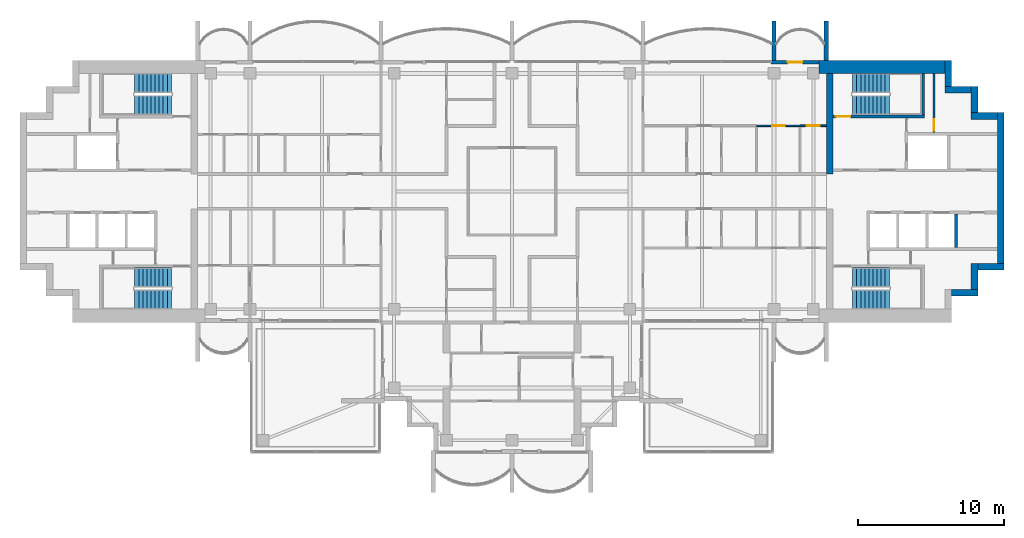
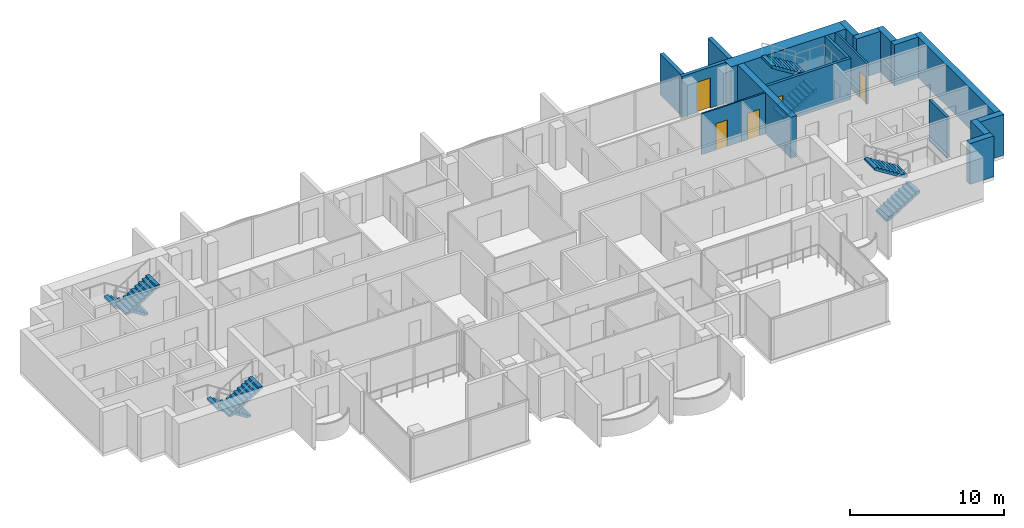
# One storey, part 12 of 16: 19 walls, 8 stair flights, 5 doors, 5 openings, 4 elements without a shape of their own.
"""IFC4 building model written with IfcOpenShell, lengths in metres."""

import ifcopenshell
import ifcopenshell.guid

model = None  # the IFC model being written
_history = None  # IfcOwnerHistory: only IFC2X3 demands one
_inside = {}  # id of a spatial element -> (the spatial element, [elements in it])
_under = {}  # id of a project, library or spatial element -> (it, [spatial elements below it])
_declared = {}  # id of a project -> (the project, [libraries it declares])
_typed = {}  # id of a type object -> (the type object, [elements of that type])
_made_of = {}  # id of a material, layer set ... -> (it, [elements and type objects made of it])


def new_model(schema):
    """Start an empty IFC model of exactly this schema.

    Asked for "IFC4X3", IfcOpenShell would pick the latest addendum, in which some entities
    have other attributes; the version numbers below select the first issue.
    IFC2X3 requires an IfcOwnerHistory on every rooted entity: one is made here for all.
    """
    global model, _history
    if schema == "IFC4X3":
        model = ifcopenshell.file(schema_version=(4, 3, 0, 0))
    else:
        model = ifcopenshell.file(schema=schema)
    _inside.clear()
    _under.clear()
    _declared.clear()
    _typed.clear()
    _made_of.clear()
    _history = None
    if model.schema == "IFC2X3":
        org = make("IfcOrganization", Name="unknown")
        user = make(
            "IfcPersonAndOrganization",
            ThePerson=make("IfcPerson", FamilyName="unknown"),
            TheOrganization=org,
        )
        app = make(
            "IfcApplication",
            ApplicationDeveloper=org,
            Version="unknown",
            ApplicationFullName="unknown",
            ApplicationIdentifier="unknown",
        )
        _history = make(
            "IfcOwnerHistory",
            OwningUser=user,
            OwningApplication=app,
            ChangeAction="ADDED",
            CreationDate=0,
        )
    return model


def make(cls, **values):
    """One entity of the class cls with the attributes given. An attribute that is None is left unset."""
    return model.create_entity(
        cls, **{name: value for name, value in values.items() if value is not None}
    )


def rooted(cls, **values):
    """An entity with a GlobalId (a new one), such as an element, a storey or a relation."""
    return make(cls, GlobalId=ifcopenshell.guid.new(), OwnerHistory=_history, **values)


def si_unit(unit_type, name, prefix=None):
    """IfcSIUnit, for example si_unit("LENGTHUNIT", "METRE", prefix="MILLI")."""
    return make("IfcSIUnit", UnitType=unit_type, Prefix=prefix, Name=name)


def assignment(units):
    """IfcUnitAssignment: the units of a project."""
    return None if units is None else make("IfcUnitAssignment", Units=units)


def point(xyz):
    """IfcCartesianPoint."""
    return None if xyz is None else make("IfcCartesianPoint", Coordinates=xyz)


def direction(xyz):
    """IfcDirection."""
    return None if xyz is None else make("IfcDirection", DirectionRatios=xyz)


def frame(location, z_axis=None, x_axis=None):
    """IfcAxis2Placement3D, a coordinate frame: its origin and axes. An axis left out is left unset."""
    return make(
        "IfcAxis2Placement3D",
        Location=point(location),
        Axis=direction(z_axis),
        RefDirection=direction(x_axis),
    )


def frame_2d(location, x_axis=None):
    """IfcAxis2Placement2D, a coordinate frame in the plane: its origin and x axis."""
    return make(
        "IfcAxis2Placement2D", Location=point(location), RefDirection=direction(x_axis)
    )


def origin():
    """The frame at (0, 0, 0) with its axes left unset."""
    return frame((0.0, 0.0, 0.0))


def place(relative_to, where):
    """IfcLocalPlacement: puts the frame where relative to a parent placement (None: the world)."""
    return make(
        "IfcLocalPlacement", PlacementRelTo=relative_to, RelativePlacement=where
    )


def context(
    kind, dimensions, precision=None, world=None, true_north=None, identifier=None
):
    """IfcGeometricRepresentationContext, for example the 3D "Model" context."""
    return make(
        "IfcGeometricRepresentationContext",
        ContextIdentifier=identifier,
        ContextType=kind,
        CoordinateSpaceDimension=dimensions,
        Precision=precision,
        WorldCoordinateSystem=world,
        TrueNorth=true_north,
    )


def subcontext(parent, identifier, kind, view, scale=None):
    """IfcGeometricRepresentationSubContext, for example "Body" below "Model"."""
    return make(
        "IfcGeometricRepresentationSubContext",
        ContextIdentifier=identifier,
        ContextType=kind,
        ParentContext=parent,
        TargetScale=scale,
        TargetView=view,
    )


def project(units=None, contexts=None):
    """IfcProject with its units and contexts."""
    return rooted(
        "IfcProject",
        Name="project",
        RepresentationContexts=contexts,
        UnitsInContext=assignment(units),
    )


def spatial(cls, under=None, at=None, **own):
    """A site, building, storey or space (cls), placed at a placement, below another one or the project."""
    s = rooted(cls, ObjectPlacement=at, **own)
    if under is not None:
        _under.setdefault(under.id(), (under, []))[1].append(s)
    return s


def polyline(points):
    """IfcPolyline through the points."""
    return make("IfcPolyline", Points=[point(p) for p in points])


def profile(cls, at=None, kind="AREA", **sizes):
    """A parametric profile (cls). Its sizes go by their IFC names, for example OverallWidth=200.0."""
    return make(cls, ProfileType=kind, Position=at, **sizes)


def rectangle(**sizes):
    """IfcRectangleProfileDef."""
    return profile("IfcRectangleProfileDef", **sizes)


def outline(outer, holes=None, kind="AREA"):
    """IfcArbitraryClosedProfileDef: a profile drawn as a closed curve; with holes, ...WithVoids."""
    if holes is None:
        return make("IfcArbitraryClosedProfileDef", ProfileType=kind, OuterCurve=outer)
    return make(
        "IfcArbitraryProfileDefWithVoids",
        ProfileType=kind,
        OuterCurve=outer,
        InnerCurves=holes,
    )


def extrude(swept, where, along, depth):
    """IfcExtrudedAreaSolid: the profile swept, set in the frame where, extruded along a direction by depth."""
    return make(
        "IfcExtrudedAreaSolid",
        SweptArea=swept,
        Position=where,
        ExtrudedDirection=direction(along),
        Depth=depth,
    )


def shape(context_of_items, identifier, shape_type, items):
    """IfcShapeRepresentation: the items that make up one representation, for example the "Body"."""
    return make(
        "IfcShapeRepresentation",
        ContextOfItems=context_of_items,
        RepresentationIdentifier=identifier,
        RepresentationType=shape_type,
        Items=items,
    )


def material(Name=None, Category=None):
    """IfcMaterial."""
    return make("IfcMaterial", Name=Name, Category=Category)


def layer(
    of_material, thickness, ventilated=None, Name=None, Category=None, Priority=None
):
    """IfcMaterialLayer: one layer of a wall or slab, of a material (None: an air gap)."""
    return make(
        "IfcMaterialLayer",
        Material=of_material,
        LayerThickness=thickness,
        IsVentilated=ventilated,
        Name=Name,
        Category=Category,
        Priority=Priority,
    )


def layer_set(layers, Name=None):
    """IfcMaterialLayerSet."""
    return make("IfcMaterialLayerSet", MaterialLayers=layers, LayerSetName=Name)


def made_of(thing, what):
    """Note that an element or type object is made of a material, layer set ...; save() writes the relation."""
    if what is not None:
        _made_of.setdefault(what.id(), (what, []))[1].append(thing)
    return thing


def type_object(cls, material=None, **own):
    """A type object (cls), such as IfcWallType, which elements share."""
    return made_of(rooted(cls, **own), material)


def element(
    cls,
    number,
    at=None,
    inside=None,
    cuts=None,
    type_object=None,
    material=None,
    context=None,
    identifier="Body",
    shape_type=None,
    held_by="IfcProductDefinitionShape",
    body=None,
    shapes=None,
    **own,
):
    """One element of the class cls, such as IfcWall. Its Tag is "e" and its number.

    at: its placement. inside: the storey or other place that contains it. cuts: it is an
    opening in that element (IfcRelVoidsElement). A single representation is given by context,
    identifier, shape_type and body (its items); several are given by shapes. held_by: the class
    of the entity that holds the representations. save() writes the other relations.
    """
    e = rooted(cls, Tag="e%d" % number, ObjectPlacement=at, **own)
    if body is not None:
        shapes = [shape(context, identifier, shape_type, body)]
    if shapes is not None:
        e.Representation = make(held_by, Representations=shapes)
    if inside is not None:
        _inside.setdefault(inside.id(), (inside, []))[1].append(e)
    if cuts is not None:
        rooted(
            "IfcRelVoidsElement", RelatingBuildingElement=cuts, RelatedOpeningElement=e
        )
    if type_object is not None:
        _typed.setdefault(type_object.id(), (type_object, []))[1].append(e)
    return made_of(e, material)


def fill(opening, filler):
    """IfcRelFillsElement: the door or window that sits in an opening."""
    return rooted(
        "IfcRelFillsElement",
        RelatingOpeningElement=opening,
        RelatedBuildingElement=filler,
    )


def aggregate(whole, parts):
    """IfcRelAggregates: a whole, such as a stair, and the parts it consists of."""
    return rooted("IfcRelAggregates", RelatingObject=whole, RelatedObjects=parts)


def save(model, path):
    """Write the relations noted so far, then the file.

    IfcRelAggregates (storeys below a building ...), IfcRelContainedInSpatialStructure (elements
    in a storey), IfcRelDefinesByType, IfcRelAssociatesMaterial and IfcRelDeclares: one each for
    every whole, place, type object, material and project.
    """
    for whole, parts in _under.values():
        aggregate(whole, parts)
    for where, things in _inside.values():
        rooted(
            "IfcRelContainedInSpatialStructure",
            RelatedElements=things,
            RelatingStructure=where,
        )
    for kind, things in _typed.values():
        rooted("IfcRelDefinesByType", RelatedObjects=things, RelatingType=kind)
    for what, things in _made_of.values():
        rooted("IfcRelAssociatesMaterial", RelatedObjects=things, RelatingMaterial=what)
    for by, libraries in _declared.values():
        rooted("IfcRelDeclares", RelatingContext=by, RelatedDefinitions=libraries)
    model.write(path)


model = new_model("IFC4")

# Units and contexts
model_context = context("Model", 3, precision=1e-05, world=origin(), true_north=direction((0.0, 1.0)))
body_context = subcontext(model_context, "Body", "Model", "MODEL_VIEW")
ifc_project = project(units=[si_unit("LENGTHUNIT", "METRE"), si_unit("AREAUNIT", "SQUARE_METRE"), si_unit("VOLUMEUNIT", "CUBIC_METRE"), si_unit("PLANEANGLEUNIT", "RADIAN"), si_unit("MASSUNIT", "GRAM", prefix="KILO")], contexts=[model_context])

# Site, building, storey
site_placement = place(None, origin())
site = spatial("IfcSite", under=ifc_project, at=site_placement, CompositionType="ELEMENT")
building_placement = place(site_placement, origin())
building = spatial("IfcBuilding", under=site, at=building_placement, Name="Perihelion Cross Residences", CompositionType="ELEMENT")
storey_placement = place(building_placement, frame((0.0, 0.0, 243.0)))
storey = spatial("IfcBuildingStorey", under=building, at=storey_placement, Name="L61", CompositionType="ELEMENT", Elevation=243.0)

# Wall, opening, door
ifc_material_1 = material(Name="Concrete C30/37, bronze-clad", Category="concrete")
ifc_layer_1 = layer(ifc_material_1, 0.25)
ifc_layer_set_1 = layer_set([ifc_layer_1], Name="Bronze-clad pier wall 250")
wall_type_1 = type_object("IfcWallType", Name="Bronze-clad pier wall 250", PredefinedType="SOLIDWALL", material=ifc_layer_set_1)
wall_1_placement = place(storey_placement, frame((21.10009765625, 8.875, 0.0), z_axis=(0.0, 0.0, 1.0), x_axis=(-1.0, 0.0, 0.0)))
wall_1 = element("IfcWall", 1, at=wall_1_placement, inside=storey, type_object=wall_type_1, Name="Wall FW1 L61 east side north bay 1 pier", PredefinedType="SOLIDWALL", context=body_context, shape_type="SweptSolid", body=[
    extrude(rectangle(XDim=3.300048828125, YDim=0.25, at=frame_2d((1.64990234375, 0.0))), origin(), (0.0, 0.0, 1.0), 3.25),
])
opening_1_placement = place(wall_1_placement, frame((1.14990234375, 0.0, 0.0)))
opening_1 = element("IfcOpeningElement", 2, at=opening_1_placement, cuts=wall_1, Name="Opening L61.E01", PredefinedType="OPENING", context=body_context, shape_type="SweptSolid", body=[
    extrude(rectangle(XDim=1.0, YDim=2.39990234375, at=frame_2d((0.5, 1.199951171875))), frame((0.0, 0.135009765625, 0.0), z_axis=(0.0, -1.0, 0.0), x_axis=(1.0, 0.0, 0.0)), (0.0, 0.0, 1.0), 0.27001953125),
])
ifc_material_2 = material(Name="Bronze anodised aluminium, glazed", Category="aluminium")
door_type_1 = type_object("IfcDoorType", Name="Balcony door 1000 x 2400", OperationType="NOTDEFINED", PredefinedType="DOOR", material=ifc_material_2)
door_1_placement = place(opening_1_placement, origin())
door_1 = element("IfcDoor", 3, at=door_1_placement, inside=storey, type_object=door_type_1, Name="Door L61.E01 east side north bay 1", OperationType="SINGLE_SWING_LEFT", OverallHeight=2.39990234375, OverallWidth=1.0, PredefinedType="DOOR", context=body_context, shape_type="SweptSolid", body=[
    extrude(rectangle(XDim=1.0, YDim=2.39990234375, at=frame_2d((0.5, 1.199951171875))), frame((0.0, 0.02490234375, 0.0), z_axis=(0.0, -1.0, 0.0), x_axis=(1.0, 0.0, 0.0)), (0.0, 0.0, 1.0), 0.050048828125),
])
fill(opening_1, door_1)

# Walls
ifc_material_3 = material(Name="Concrete C60/75", Category="concrete")
ifc_layer_2 = layer(ifc_material_3, 0.449951171875)
ifc_layer_set_2 = layer_set([ifc_layer_2], Name="Core wall, inner 450")
wall_type_2 = type_object("IfcWallType", Name="Core wall, inner 450", PredefinedType="SHEAR", material=ifc_layer_set_2)
wall_2_placement = place(storey_placement, frame((21.824951171875, 1.199951171875, 0.0), z_axis=(0.0, 0.0, 1.0), x_axis=(0.0, 1.0, 0.0)))
element("IfcWall", 4, at=wall_2_placement, inside=storey, type_object=wall_type_2, Name="East core core wall, inner", PredefinedType="SHEAR", context=body_context, shape_type="SweptSolid", body=[
    extrude(rectangle(XDim=6.900146484375, YDim=0.449951171875, at=frame_2d((3.4501953125, 0.0))), origin(), (0.0, 0.0, 1.0), 3.25),
])
ifc_material_4 = material(Name="Concrete C60/75", Category="concrete")
ifc_layer_3 = layer(ifc_material_4, 0.449951171875)
ifc_layer_set_3 = layer_set([ifc_layer_3], Name="Core wall, outer 450")
wall_type_3 = type_object("IfcWallType", Name="Core wall, outer 450", PredefinedType="SHEAR", material=ifc_layer_set_3)
for number, where, z_axis, x_axis, name in (
    (5, (30.199951171875, -6.97509765625, 0.0), (0.0, 0.0, 1.0), (1.0, 0.0, 0.0), "East core core wall, outer"),
    (6, (31.77490234375, -6.75, 0.0), (0.0, 0.0, 1.0), (0.0, 1.0, 0.0), "East core core wall, outer"),
    (7, (32.0, -5.175048828125, 0.0), (0.0, 0.0, 1.0), (1.0, 0.0, 0.0), "East core core wall, outer"),
):
    element("IfcWall", number, at=place(storey_placement, frame(where, z_axis=z_axis, x_axis=x_axis)), inside=storey, type_object=wall_type_3, Name=name, PredefinedType="SHEAR", context=body_context, shape_type="SweptSolid", body=[
        extrude(rectangle(XDim=1.800048828125, YDim=0.449951171875, at=frame_2d((0.89990234375, 0.0))), origin(), (0.0, 0.0, 1.0), 3.25),
    ])
wall_3_placement = place(storey_placement, frame((33.574951171875, -4.949951171875, 0.0), z_axis=(0.0, 0.0, 1.0), x_axis=(0.0, 1.0, 0.0)))
element("IfcWall", 8, at=wall_3_placement, inside=storey, type_object=wall_type_3, Name="East core core wall, outer", PredefinedType="SHEAR", context=body_context, shape_type="SweptSolid", body=[
    extrude(rectangle(XDim=10.349853515625, YDim=0.449951171875, at=frame_2d((5.1748046875, 0.0))), origin(), (0.0, 0.0, 1.0), 3.25),
])
for number, where, z_axis, x_axis, name in (
    (9, (31.550048828125, 5.175048828125, 0.0), (0.0, 0.0, 1.0), (1.0, 0.0, 0.0), "East core core wall, outer"),
    (10, (31.77490234375, 5.39990234375, 0.0), (0.0, 0.0, 1.0), (0.0, 1.0, 0.0), "East core core wall, outer"),
    (11, (29.75, 6.97509765625, 0.0), (0.0, 0.0, 1.0), (1.0, 0.0, 0.0), "East core core wall, outer"),
    (12, (29.97509765625, 7.199951171875, 0.0), (0.0, 0.0, 1.0), (0.0, 1.0, 0.0), "East core core wall, outer"),
):
    element("IfcWall", number, at=place(storey_placement, frame(where, z_axis=z_axis, x_axis=x_axis)), inside=storey, type_object=wall_type_3, Name=name, PredefinedType="SHEAR", context=body_context, shape_type="SweptSolid", body=[
        extrude(rectangle(XDim=1.800048828125, YDim=0.449951171875, at=frame_2d((0.89990234375, 0.0))), origin(), (0.0, 0.0, 1.0), 3.25),
    ])
ifc_material_5 = material(Name="Concrete C60/75", Category="concrete")
ifc_layer_4 = layer(ifc_material_5, 0.89990234375)
ifc_layer_set_4 = layer_set([ifc_layer_4], Name="Core wall, outer 900")
wall_type_4 = type_object("IfcWallType", Name="Core wall, outer 900", PredefinedType="SHEAR", material=ifc_layer_set_4)
wall_4_placement = place(storey_placement, frame((21.10009765625, 8.550048828125, 0.0), z_axis=(0.0, 0.0, 1.0), x_axis=(1.0, 0.0, 0.0)))
element("IfcWall", 13, at=wall_4_placement, inside=storey, type_object=wall_type_4, Name="East core core wall, outer", PredefinedType="SHEAR", context=body_context, shape_type="SweptSolid", body=[
    extrude(rectangle(XDim=8.64990234375, YDim=0.89990234375, at=frame_2d((4.324951171875, 0.0))), origin(), (0.0, 0.0, 1.0), 3.25),
])

# Wall, opening, door
ifc_material_6 = material(Name="Plasterboard partition")
ifc_layer_5 = layer(ifc_material_6, 0.1201171875)
ifc_layer_set_5 = layer_set([ifc_layer_5], Name="Partition wall 120")
wall_type_5 = type_object("IfcWallType", Name="Partition wall 120", PredefinedType="PARTITIONING", material=ifc_layer_set_5)
wall_5_placement = place(storey_placement, frame((19.800048828125, 4.5, 0.0), z_axis=(0.0, 0.0, 1.0), x_axis=(1.0, 0.0, 0.0)))
wall_5 = element("IfcWall", 14, at=wall_5_placement, inside=storey, type_object=wall_type_5, Name="Partition L61 W029", PredefinedType="PARTITIONING", context=body_context, shape_type="SweptSolid", body=[
    extrude(rectangle(XDim=1.800048828125, YDim=0.1201171875, at=frame_2d((0.89990234375, 0.0))), origin(), (0.0, 0.0, 1.0), 3.25),
])
opening_2_placement = place(wall_5_placement, frame((0.449951171875, 0.0, 0.0)))
opening_2 = element("IfcOpeningElement", 15, at=opening_2_placement, cuts=wall_5, Name="Opening L61.A05", PredefinedType="OPENING", context=body_context, shape_type="SweptSolid", body=[
    extrude(rectangle(XDim=0.89990234375, YDim=2.10009765625, at=frame_2d((0.449951171875, 1.050048828125))), frame((0.0, 0.070068359375, 0.0), z_axis=(0.0, -1.0, 0.0), x_axis=(1.0, 0.0, 0.0)), (0.0, 0.0, 1.0), 0.14013671875),
])
ifc_material_7 = material(Name="Timber door leaf", Category="wood")
door_type_2 = type_object("IfcDoorType", Name="Interior room door 900 x 2100", OperationType="SINGLE_SWING_LEFT", PredefinedType="DOOR", material=ifc_material_7)
door_2_placement = place(opening_2_placement, origin())
door_2 = element("IfcDoor", 16, at=door_2_placement, inside=storey, type_object=door_type_2, Name="Door L61.A05", OperationType="SINGLE_SWING_LEFT", OverallHeight=2.10009765625, OverallWidth=0.89990234375, PredefinedType="DOOR", context=body_context, shape_type="SweptSolid", body=[
    extrude(rectangle(XDim=0.89990234375, YDim=2.10009765625, at=frame_2d((0.449951171875, 1.050048828125))), frame((0.0, 0.02490234375, 0.0), z_axis=(0.0, -1.0, 0.0), x_axis=(1.0, 0.0, 0.0)), (0.0, 0.0, 1.0), 0.050048828125),
])
fill(opening_2, door_2)

# Walls
ifc_material_8 = material(Name="Precast concrete C50/60", Category="concrete")
ifc_layer_6 = layer(ifc_material_8, 0.300048828125)
ifc_layer_set_6 = layer_set([ifc_layer_6], Name="Precast concrete C50/60 blade wall 300")
wall_type_6 = type_object("IfcWallType", Name="Precast concrete C50/60 blade wall 300", PredefinedType="SOLIDWALL", material=ifc_layer_set_6)
for number, where, z_axis, x_axis, name in (
    (17, (18.0, 9.0, 0.0), (0.0, 0.0, 1.0), (0.0, 1.0, 0.0), "Wall BL1 L61 no. 11"),
    (18, (21.60009765625, 9.0, 0.0), (0.0, 0.0, 1.0), (0.0, 1.0, 0.0), "Wall BL1 L61 no. 13"),
):
    element("IfcWall", number, at=place(storey_placement, frame(where, z_axis=z_axis, x_axis=x_axis)), inside=storey, type_object=wall_type_6, Name=name, PredefinedType="SOLIDWALL", context=body_context, shape_type="SweptSolid", body=[
        extrude(rectangle(XDim=2.699951171875, YDim=0.300048828125, at=frame_2d((1.35009765625, 0.0))), origin(), (0.0, 0.0, 1.0), 3.25),
    ])

# Wall, opening, door
ifc_material_9 = material(Name="Fire-rated board on steel stud", Category="steel")
ifc_layer_7 = layer(ifc_material_9, 0.14990234375)
ifc_layer_set_7 = layer_set([ifc_layer_7], Name="Riser wall 150")
wall_type_7 = type_object("IfcWallType", Name="Riser wall 150", PredefinedType="PARTITIONING", material=ifc_layer_set_7)
wall_6_placement = place(storey_placement, frame((29.0, 4.050048828125, 0.0), z_axis=(0.0, 0.0, 1.0), x_axis=(0.0, 1.0, 0.0)))
wall_6 = element("IfcWall", 19, at=wall_6_placement, inside=storey, type_object=wall_type_7, Name="East core riser wall", PredefinedType="PARTITIONING", context=body_context, shape_type="SweptSolid", body=[
    extrude(rectangle(XDim=4.050048828125, YDim=0.14990234375, at=frame_2d((2.02490234375, 0.0))), origin(), (0.0, 0.0, 1.0), 3.25),
])
opening_3_placement = place(wall_6_placement, frame((0.10009765625, 0.0, 0.0)))
opening_3 = element("IfcOpeningElement", 20, at=opening_3_placement, cuts=wall_6, Name="Opening L61.C12", PredefinedType="OPENING", context=body_context, shape_type="SweptSolid", body=[
    extrude(rectangle(XDim=0.800048828125, YDim=2.10009765625, at=frame_2d((0.39990234375, 1.050048828125))), frame((0.0, 0.0849609375, 0.0), z_axis=(0.0, -1.0, 0.0), x_axis=(1.0, 0.0, 0.0)), (0.0, 0.0, 1.0), 0.169921875),
])
ifc_material_10 = material(Name="Steel, powder coated", Category="steel")
door_type_3 = type_object("IfcDoorType", Name="Riser door 800", OperationType="SINGLE_SWING_LEFT", PredefinedType="DOOR", material=ifc_material_10)
door_3_placement = place(opening_3_placement, origin())
door_3 = element("IfcDoor", 21, at=door_3_placement, inside=storey, type_object=door_type_3, Name="East core riser door", OperationType="SINGLE_SWING_LEFT", OverallHeight=2.10009765625, OverallWidth=0.800048828125, PredefinedType="DOOR", context=body_context, shape_type="SweptSolid", body=[
    extrude(rectangle(XDim=0.800048828125, YDim=2.10009765625, at=frame_2d((0.39990234375, 1.050048828125))), frame((0.0, 0.02490234375, 0.0), z_axis=(0.0, -1.0, 0.0), x_axis=(1.0, 0.0, 0.0)), (0.0, 0.0, 1.0), 0.050048828125),
])
fill(opening_3, door_3)

# Wall
ifc_material_11 = material(Name="Concrete C50/60", Category="concrete")
ifc_layer_8 = layer(ifc_material_11, 0.199951171875)
ifc_layer_set_8 = layer_set([ifc_layer_8], Name="Shaft wall 200")
wall_type_8 = type_object("IfcWallType", Name="Shaft wall 200", PredefinedType="SOLIDWALL", material=ifc_layer_set_8)
wall_7_placement = place(storey_placement, frame((30.5, -3.85009765625, 0.0), z_axis=(0.0, 0.0, 1.0), x_axis=(0.0, 1.0, 0.0)))
element("IfcWall", 22, at=wall_7_placement, inside=storey, type_object=wall_type_8, Name="East core shaft wall", PredefinedType="SOLIDWALL", context=body_context, shape_type="SweptSolid", body=[
    extrude(rectangle(XDim=2.300048828125, YDim=0.199951171875, at=frame_2d((1.14990234375, 0.0))), origin(), (0.0, 0.0, 1.0), 3.25),
])

# Wall, opening, door
ifc_material_12 = material(Name="Concrete C50/60", Category="concrete")
ifc_layer_9 = layer(ifc_material_12, 0.199951171875)
ifc_layer_set_9 = layer_set([ifc_layer_9], Name="Stair wall 200")
wall_type_9 = type_object("IfcWallType", Name="Stair wall 200", PredefinedType="SOLIDWALL", material=ifc_layer_set_9)
wall_8_placement = place(storey_placement, frame((22.050048828125, 5.14990234375, 0.0), z_axis=(0.0, 0.0, 1.0), x_axis=(1.0, 0.0, 0.0)))
wall_8 = element("IfcWall", 23, at=wall_8_placement, inside=storey, type_object=wall_type_9, Name="East core stair wall", PredefinedType="SOLIDWALL", context=body_context, shape_type="SweptSolid", body=[
    extrude(rectangle(XDim=6.300048828125, YDim=0.199951171875, at=frame_2d((3.14990234375, 0.0))), origin(), (0.0, 0.0, 1.0), 3.25),
])
opening_4_placement = place(wall_8_placement, frame((0.199951171875, 0.0, 0.0)))
opening_4 = element("IfcOpeningElement", 24, at=opening_4_placement, cuts=wall_8, Name="Opening L61.C06", PredefinedType="OPENING", context=body_context, shape_type="SweptSolid", body=[
    extrude(rectangle(XDim=1.0, YDim=2.10009765625, at=frame_2d((0.5, 1.050048828125))), frame((0.0, 0.10986328125, 0.0), z_axis=(0.0, -1.0, 0.0), x_axis=(1.0, 0.0, 0.0)), (0.0, 0.0, 1.0), 0.219970703125),
])
ifc_material_13 = material(Name="Steel, powder coated", Category="steel")
door_type_4 = type_object("IfcDoorType", Name="Stair door 1000", OperationType="SINGLE_SWING_LEFT", PredefinedType="DOOR", material=ifc_material_13)
door_4_placement = place(opening_4_placement, origin())
door_4 = element("IfcDoor", 25, at=door_4_placement, inside=storey, type_object=door_type_4, Name="East core stair door", OperationType="SINGLE_SWING_LEFT", OverallHeight=2.10009765625, OverallWidth=1.0, PredefinedType="DOOR", context=body_context, shape_type="SweptSolid", body=[
    extrude(rectangle(XDim=1.0, YDim=2.10009765625, at=frame_2d((0.5, 1.050048828125))), frame((0.0, 0.02490234375, 0.0), z_axis=(0.0, -1.0, 0.0), x_axis=(1.0, 0.0, 0.0)), (0.0, 0.0, 1.0), 0.050048828125),
])
fill(opening_4, door_4)

# Wall
wall_9_placement = place(storey_placement, frame((28.25, 5.25, 0.0), z_axis=(0.0, 0.0, 1.0), x_axis=(0.0, 1.0, 0.0)))
element("IfcWall", 26, at=wall_9_placement, inside=storey, type_object=wall_type_9, Name="East core stair wall", PredefinedType="SOLIDWALL", context=body_context, shape_type="SweptSolid", body=[
    extrude(rectangle(XDim=2.85009765625, YDim=0.199951171875, at=frame_2d((1.425048828125, 0.0))), origin(), (0.0, 0.0, 1.0), 3.25),
])

# Wall, opening, door
ifc_material_14 = material(Name="Plasterboard partition")
ifc_layer_10 = layer(ifc_material_14, 0.10009765625)
ifc_layer_set_10 = layer_set([ifc_layer_10], Name="Wet room wall 100")
wall_type_10 = type_object("IfcWallType", Name="Wet room wall 100", PredefinedType="PARTITIONING", material=ifc_layer_set_10)
wall_10_placement = place(storey_placement, frame((16.800048828125, 4.5, 0.0), z_axis=(0.0, 0.0, 1.0), x_axis=(1.0, 0.0, 0.0)))
wall_10 = element("IfcWall", 27, at=wall_10_placement, inside=storey, type_object=wall_type_10, Name="Partition L61 W028", PredefinedType="PARTITIONING", context=body_context, shape_type="SweptSolid", body=[
    extrude(rectangle(XDim=3.0, YDim=0.10009765625, at=frame_2d((1.5, 0.0))), origin(), (0.0, 0.0, 1.0), 3.25),
])
opening_5_placement = place(wall_10_placement, frame((1.074951171875, 0.0, 0.0)))
opening_5 = element("IfcOpeningElement", 28, at=opening_5_placement, cuts=wall_10, Name="Opening L61.A02", PredefinedType="OPENING", context=body_context, shape_type="SweptSolid", body=[
    extrude(rectangle(XDim=0.85009765625, YDim=2.10009765625, at=frame_2d((0.425048828125, 1.050048828125))), frame((0.0, 0.06005859375, 0.0), z_axis=(0.0, -1.0, 0.0), x_axis=(1.0, 0.0, 0.0)), (0.0, 0.0, 1.0), 0.1201171875),
])
ifc_material_15 = material(Name="Timber door leaf", Category="wood")
door_type_5 = type_object("IfcDoorType", Name="Interior bathroom door 850 x 2100", OperationType="SINGLE_SWING_LEFT", PredefinedType="DOOR", material=ifc_material_15)
door_5_placement = place(opening_5_placement, origin())
door_5 = element("IfcDoor", 29, at=door_5_placement, inside=storey, type_object=door_type_5, Name="Door L61.A02", OperationType="SINGLE_SWING_RIGHT", OverallHeight=2.10009765625, OverallWidth=0.85009765625, PredefinedType="DOOR", context=body_context, shape_type="SweptSolid", body=[
    extrude(rectangle(XDim=0.85009765625, YDim=2.10009765625, at=frame_2d((0.425048828125, 1.050048828125))), frame((0.0, 0.02490234375, 0.0), z_axis=(0.0, -1.0, 0.0), x_axis=(1.0, 0.0, 0.0)), (0.0, 0.0, 1.0), 0.050048828125),
])
fill(opening_5, door_5)

# Stair, stair flights
ifc_material_16 = material(Name="Concrete C40/50", Category="concrete")
stair_type = type_object("IfcStairType", Name="Exit stair, half-turn", PredefinedType="HALF_TURN_STAIR", material=ifc_material_16)
stair_1_placement = place(storey_placement, origin())
stair_1 = element("IfcStair", 30, at=stair_1_placement, inside=storey, type_object=stair_type, Name="L61 East core exit stair 1", PredefinedType="HALF_TURN_STAIR")
ifc_material_17 = material(Name="Concrete C40/50", Category="concrete")
stair_flight_type = type_object("IfcStairFlightType", Name="Exit stair flight", PredefinedType="STRAIGHT", material=ifc_material_17)
stair_flight_1_placement = place(storey_placement, frame((23.39990234375, 5.925048828125, 0.0), z_axis=(0.0, 0.0, 1.0), x_axis=(1.0, 0.0, 0.0)))
stair_flight_1 = element("IfcStairFlight", 31, at=stair_flight_1_placement, type_object=stair_flight_type, Name="ST-E1 flight 1", NumberOfRisers=10, NumberOfTreads=9, PredefinedType="STRAIGHT", RiserHeight=0.175, TreadLength=0.28, context=body_context, shape_type="SweptSolid", body=[
    extrude(outline(polyline([(0.0, 0.0), (0.0, 0.175048828125), (0.280029296875, 0.175048828125), (0.280029296875, 0.35009765625), (0.56005859375, 0.35009765625), (0.56005859375, 0.52490234375), (0.840087890625, 0.52490234375), (0.840087890625, 0.699951171875), (1.1201171875, 0.699951171875), (1.1201171875, 0.875), (1.39990234375, 0.875), (1.39990234375, 1.050048828125), (1.679931640625, 1.050048828125), (1.679931640625, 1.22509765625), (1.9599609375, 1.22509765625), (1.9599609375, 1.39990234375), (2.239990234375, 1.39990234375), (2.239990234375, 1.574951171875), (2.52001953125, 1.574951171875), (2.52001953125, 1.75), (2.52001953125, 1.398193359375), (0.28271484375, 0.0), (0.0, 0.0)])), frame((0.0, 0.675048828125, 0.0), z_axis=(0.0, -1.0, 0.0), x_axis=(1.0, 0.0, 0.0)), (0.0, 0.0, 1.0), 1.35009765625),
])
stair_flight_2_placement = place(storey_placement, frame((25.919921875, 7.425048828125, 1.75), z_axis=(0.0, 0.0, 1.0), x_axis=(-1.0, 0.0, 0.0)))
stair_flight_2 = element("IfcStairFlight", 32, at=stair_flight_2_placement, type_object=stair_flight_type, Name="ST-E1 flight 2", NumberOfRisers=10, NumberOfTreads=9, PredefinedType="STRAIGHT", RiserHeight=0.175, TreadLength=0.28, context=body_context, shape_type="SweptSolid", body=[
    extrude(outline(polyline([(0.0, 0.0), (0.0, 0.175048828125), (0.280029296875, 0.175048828125), (0.280029296875, 0.35009765625), (0.56005859375, 0.35009765625), (0.56005859375, 0.52490234375), (0.840087890625, 0.52490234375), (0.840087890625, 0.699951171875), (1.1201171875, 0.699951171875), (1.1201171875, 0.875), (1.39990234375, 0.875), (1.39990234375, 1.050048828125), (1.679931640625, 1.050048828125), (1.679931640625, 1.22509765625), (1.9599609375, 1.22509765625), (1.9599609375, 1.39990234375), (2.239990234375, 1.39990234375), (2.239990234375, 1.574951171875), (2.52001953125, 1.574951171875), (2.52001953125, 1.75), (2.52001953125, 1.398193359375), (0.28271484375, 0.0), (0.0, 0.0)])), frame((0.0, 0.675048828125, 0.0), z_axis=(0.0, -1.0, 0.0), x_axis=(1.0, 0.0, 0.0)), (0.0, 0.0, 1.0), 1.35009765625),
])
aggregate(stair_1, [stair_flight_1, stair_flight_2])

stair_2_placement = place(storey_placement, origin())
stair_2 = element("IfcStair", 33, at=stair_2_placement, inside=storey, type_object=stair_type, Name="L61 East core exit stair 2", PredefinedType="HALF_TURN_STAIR")
stair_flight_3_placement = place(storey_placement, frame((23.39990234375, -7.425048828125, 0.0), z_axis=(0.0, 0.0, 1.0), x_axis=(1.0, 0.0, 0.0)))
stair_flight_3 = element("IfcStairFlight", 34, at=stair_flight_3_placement, type_object=stair_flight_type, Name="ST-E2 flight 1", NumberOfRisers=10, NumberOfTreads=9, PredefinedType="STRAIGHT", RiserHeight=0.175, TreadLength=0.28, context=body_context, shape_type="SweptSolid", body=[
    extrude(outline(polyline([(0.0, 0.0), (0.0, 0.175048828125), (0.280029296875, 0.175048828125), (0.280029296875, 0.35009765625), (0.56005859375, 0.35009765625), (0.56005859375, 0.52490234375), (0.840087890625, 0.52490234375), (0.840087890625, 0.699951171875), (1.1201171875, 0.699951171875), (1.1201171875, 0.875), (1.39990234375, 0.875), (1.39990234375, 1.050048828125), (1.679931640625, 1.050048828125), (1.679931640625, 1.22509765625), (1.9599609375, 1.22509765625), (1.9599609375, 1.39990234375), (2.239990234375, 1.39990234375), (2.239990234375, 1.574951171875), (2.52001953125, 1.574951171875), (2.52001953125, 1.75), (2.52001953125, 1.398193359375), (0.28271484375, 0.0), (0.0, 0.0)])), frame((0.0, 0.675048828125, 0.0), z_axis=(0.0, -1.0, 0.0), x_axis=(1.0, 0.0, 0.0)), (0.0, 0.0, 1.0), 1.35009765625),
])
stair_flight_4_placement = place(storey_placement, frame((25.919921875, -5.925048828125, 1.75), z_axis=(0.0, 0.0, 1.0), x_axis=(-1.0, 0.0, 0.0)))
stair_flight_4 = element("IfcStairFlight", 35, at=stair_flight_4_placement, type_object=stair_flight_type, Name="ST-E2 flight 2", NumberOfRisers=10, NumberOfTreads=9, PredefinedType="STRAIGHT", RiserHeight=0.175, TreadLength=0.28, context=body_context, shape_type="SweptSolid", body=[
    extrude(outline(polyline([(0.0, 0.0), (0.0, 0.175048828125), (0.280029296875, 0.175048828125), (0.280029296875, 0.35009765625), (0.56005859375, 0.35009765625), (0.56005859375, 0.52490234375), (0.840087890625, 0.52490234375), (0.840087890625, 0.699951171875), (1.1201171875, 0.699951171875), (1.1201171875, 0.875), (1.39990234375, 0.875), (1.39990234375, 1.050048828125), (1.679931640625, 1.050048828125), (1.679931640625, 1.22509765625), (1.9599609375, 1.22509765625), (1.9599609375, 1.39990234375), (2.239990234375, 1.39990234375), (2.239990234375, 1.574951171875), (2.52001953125, 1.574951171875), (2.52001953125, 1.75), (2.52001953125, 1.398193359375), (0.28271484375, 0.0), (0.0, 0.0)])), frame((0.0, 0.675048828125, 0.0), z_axis=(0.0, -1.0, 0.0), x_axis=(1.0, 0.0, 0.0)), (0.0, 0.0, 1.0), 1.35009765625),
])
aggregate(stair_2, [stair_flight_3, stair_flight_4])

stair_3_placement = place(storey_placement, origin())
stair_3 = element("IfcStair", 36, at=stair_3_placement, inside=storey, type_object=stair_type, Name="L61 West core exit stair 1", PredefinedType="HALF_TURN_STAIR")
stair_flight_5_placement = place(storey_placement, frame((-23.39990234375, 7.425048828125, 0.0), z_axis=(0.0, 0.0, 1.0), x_axis=(-1.0, 0.0, 0.0)))
stair_flight_5 = element("IfcStairFlight", 37, at=stair_flight_5_placement, type_object=stair_flight_type, Name="ST-W1 flight 1", NumberOfRisers=10, NumberOfTreads=9, PredefinedType="STRAIGHT", RiserHeight=0.175, TreadLength=0.28, context=body_context, shape_type="SweptSolid", body=[
    extrude(outline(polyline([(0.0, 0.0), (0.0, 0.175048828125), (0.280029296875, 0.175048828125), (0.280029296875, 0.35009765625), (0.56005859375, 0.35009765625), (0.56005859375, 0.52490234375), (0.840087890625, 0.52490234375), (0.840087890625, 0.699951171875), (1.1201171875, 0.699951171875), (1.1201171875, 0.875), (1.39990234375, 0.875), (1.39990234375, 1.050048828125), (1.679931640625, 1.050048828125), (1.679931640625, 1.22509765625), (1.9599609375, 1.22509765625), (1.9599609375, 1.39990234375), (2.239990234375, 1.39990234375), (2.239990234375, 1.574951171875), (2.52001953125, 1.574951171875), (2.52001953125, 1.75), (2.52001953125, 1.398193359375), (0.28271484375, 0.0), (0.0, 0.0)])), frame((0.0, 0.675048828125, 0.0), z_axis=(0.0, -1.0, 0.0), x_axis=(1.0, 0.0, 0.0)), (0.0, 0.0, 1.0), 1.35009765625),
])
stair_flight_6_placement = place(storey_placement, frame((-25.919921875, 5.925048828125, 1.75), z_axis=(0.0, 0.0, 1.0), x_axis=(1.0, 0.0, 0.0)))
stair_flight_6 = element("IfcStairFlight", 38, at=stair_flight_6_placement, type_object=stair_flight_type, Name="ST-W1 flight 2", NumberOfRisers=10, NumberOfTreads=9, PredefinedType="STRAIGHT", RiserHeight=0.175, TreadLength=0.28, context=body_context, shape_type="SweptSolid", body=[
    extrude(outline(polyline([(0.0, 0.0), (0.0, 0.175048828125), (0.280029296875, 0.175048828125), (0.280029296875, 0.35009765625), (0.56005859375, 0.35009765625), (0.56005859375, 0.52490234375), (0.840087890625, 0.52490234375), (0.840087890625, 0.699951171875), (1.1201171875, 0.699951171875), (1.1201171875, 0.875), (1.39990234375, 0.875), (1.39990234375, 1.050048828125), (1.679931640625, 1.050048828125), (1.679931640625, 1.22509765625), (1.9599609375, 1.22509765625), (1.9599609375, 1.39990234375), (2.239990234375, 1.39990234375), (2.239990234375, 1.574951171875), (2.52001953125, 1.574951171875), (2.52001953125, 1.75), (2.52001953125, 1.398193359375), (0.28271484375, 0.0), (0.0, 0.0)])), frame((0.0, 0.675048828125, 0.0), z_axis=(0.0, -1.0, 0.0), x_axis=(1.0, 0.0, 0.0)), (0.0, 0.0, 1.0), 1.35009765625),
])
aggregate(stair_3, [stair_flight_5, stair_flight_6])

stair_4_placement = place(storey_placement, origin())
stair_4 = element("IfcStair", 39, at=stair_4_placement, inside=storey, type_object=stair_type, Name="L61 West core exit stair 2", PredefinedType="HALF_TURN_STAIR")
stair_flight_7_placement = place(storey_placement, frame((-23.39990234375, -5.925048828125, 0.0), z_axis=(0.0, 0.0, 1.0), x_axis=(-1.0, 0.0, 0.0)))
stair_flight_7 = element("IfcStairFlight", 40, at=stair_flight_7_placement, type_object=stair_flight_type, Name="ST-W2 flight 1", NumberOfRisers=10, NumberOfTreads=9, PredefinedType="STRAIGHT", RiserHeight=0.175, TreadLength=0.28, context=body_context, shape_type="SweptSolid", body=[
    extrude(outline(polyline([(0.0, 0.0), (0.0, 0.175048828125), (0.280029296875, 0.175048828125), (0.280029296875, 0.35009765625), (0.56005859375, 0.35009765625), (0.56005859375, 0.52490234375), (0.840087890625, 0.52490234375), (0.840087890625, 0.699951171875), (1.1201171875, 0.699951171875), (1.1201171875, 0.875), (1.39990234375, 0.875), (1.39990234375, 1.050048828125), (1.679931640625, 1.050048828125), (1.679931640625, 1.22509765625), (1.9599609375, 1.22509765625), (1.9599609375, 1.39990234375), (2.239990234375, 1.39990234375), (2.239990234375, 1.574951171875), (2.52001953125, 1.574951171875), (2.52001953125, 1.75), (2.52001953125, 1.398193359375), (0.28271484375, 0.0), (0.0, 0.0)])), frame((0.0, 0.675048828125, 0.0), z_axis=(0.0, -1.0, 0.0), x_axis=(1.0, 0.0, 0.0)), (0.0, 0.0, 1.0), 1.35009765625),
])
stair_flight_8_placement = place(storey_placement, frame((-25.919921875, -7.425048828125, 1.75), z_axis=(0.0, 0.0, 1.0), x_axis=(1.0, 0.0, 0.0)))
stair_flight_8 = element("IfcStairFlight", 41, at=stair_flight_8_placement, type_object=stair_flight_type, Name="ST-W2 flight 2", NumberOfRisers=10, NumberOfTreads=9, PredefinedType="STRAIGHT", RiserHeight=0.175, TreadLength=0.28, context=body_context, shape_type="SweptSolid", body=[
    extrude(outline(polyline([(0.0, 0.0), (0.0, 0.175048828125), (0.280029296875, 0.175048828125), (0.280029296875, 0.35009765625), (0.56005859375, 0.35009765625), (0.56005859375, 0.52490234375), (0.840087890625, 0.52490234375), (0.840087890625, 0.699951171875), (1.1201171875, 0.699951171875), (1.1201171875, 0.875), (1.39990234375, 0.875), (1.39990234375, 1.050048828125), (1.679931640625, 1.050048828125), (1.679931640625, 1.22509765625), (1.9599609375, 1.22509765625), (1.9599609375, 1.39990234375), (2.239990234375, 1.39990234375), (2.239990234375, 1.574951171875), (2.52001953125, 1.574951171875), (2.52001953125, 1.75), (2.52001953125, 1.398193359375), (0.28271484375, 0.0), (0.0, 0.0)])), frame((0.0, 0.675048828125, 0.0), z_axis=(0.0, -1.0, 0.0), x_axis=(1.0, 0.0, 0.0)), (0.0, 0.0, 1.0), 1.35009765625),
])
aggregate(stair_4, [stair_flight_7, stair_flight_8])

save(model, "model.ifc")
